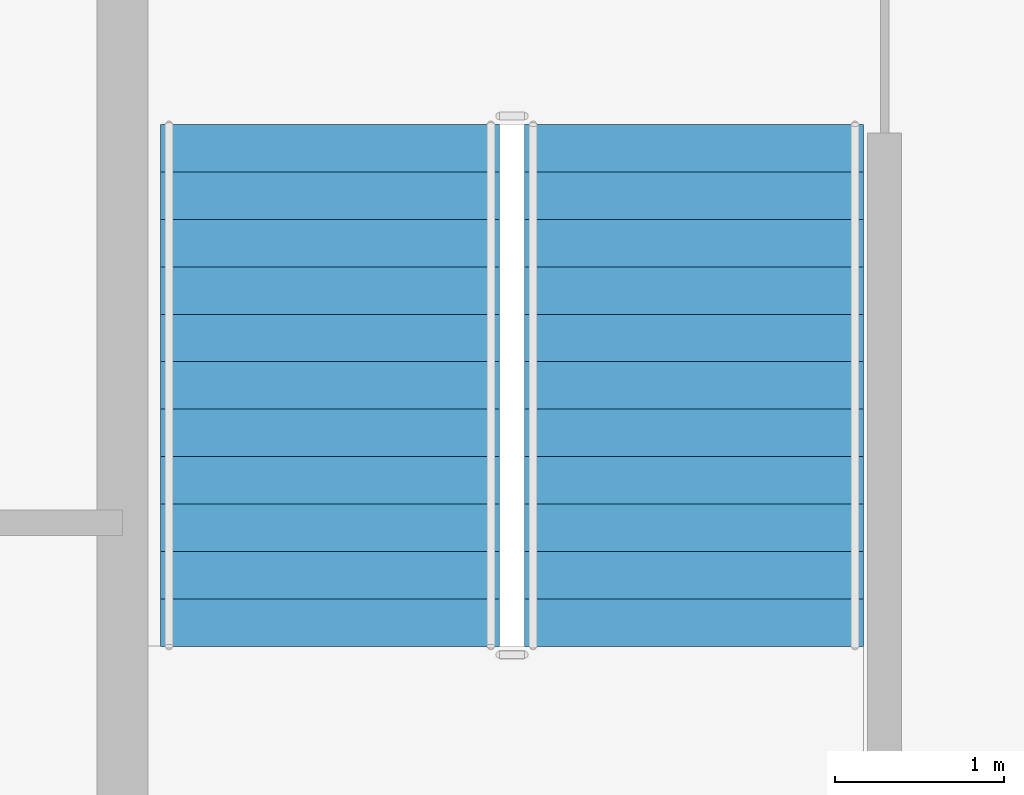
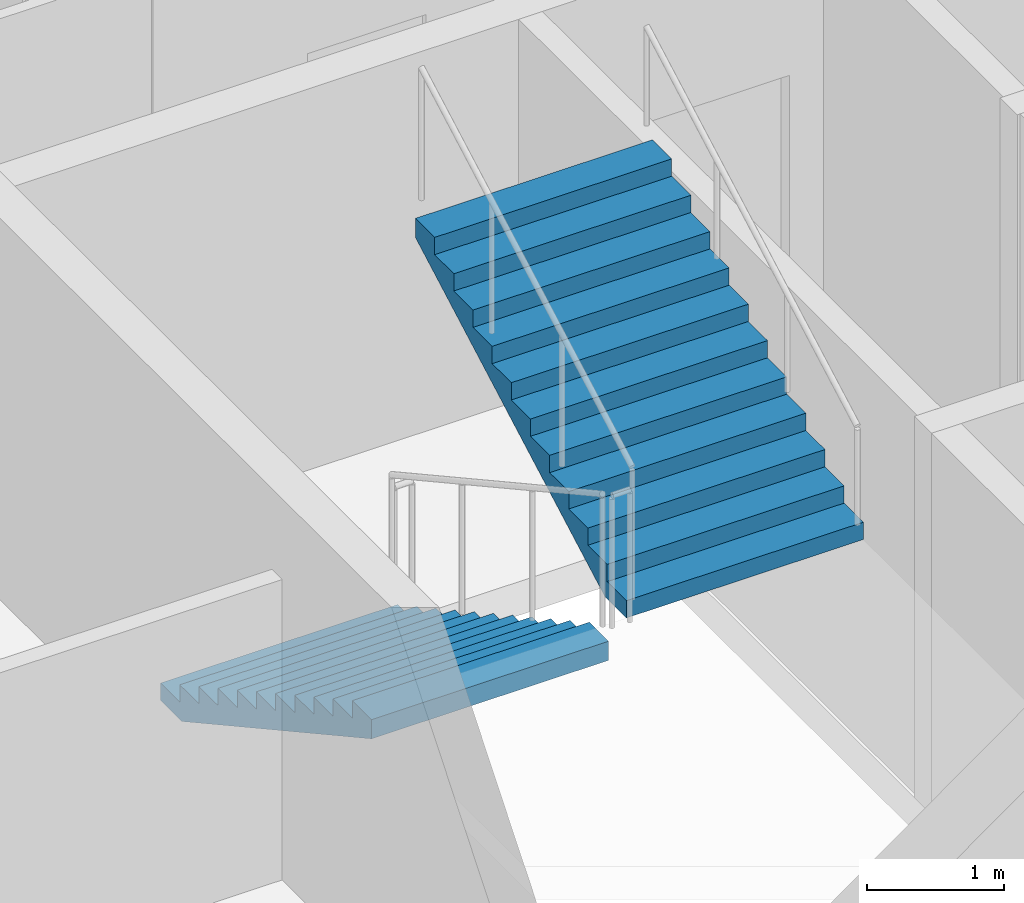
# One storey, part 7 of 13: 2 stair flights, 1 element without a shape of its own.
"""IFC4 building model written with IfcOpenShell, lengths in metres."""

import ifcopenshell
import ifcopenshell.guid

model = None  # the IFC model being written
_history = None  # IfcOwnerHistory: only IFC2X3 demands one
_inside = {}  # id of a spatial element -> (the spatial element, [elements in it])
_under = {}  # id of a project, library or spatial element -> (it, [spatial elements below it])
_declared = {}  # id of a project -> (the project, [libraries it declares])
_typed = {}  # id of a type object -> (the type object, [elements of that type])
_made_of = {}  # id of a material, layer set ... -> (it, [elements and type objects made of it])


def new_model(schema):
    """Start an empty IFC model of exactly this schema.

    Asked for "IFC4X3", IfcOpenShell would pick the latest addendum, in which some entities
    have other attributes; the version numbers below select the first issue.
    IFC2X3 requires an IfcOwnerHistory on every rooted entity: one is made here for all.
    """
    global model, _history
    if schema == "IFC4X3":
        model = ifcopenshell.file(schema_version=(4, 3, 0, 0))
    else:
        model = ifcopenshell.file(schema=schema)
    _inside.clear()
    _under.clear()
    _declared.clear()
    _typed.clear()
    _made_of.clear()
    _history = None
    if model.schema == "IFC2X3":
        org = make("IfcOrganization", Name="unknown")
        user = make(
            "IfcPersonAndOrganization",
            ThePerson=make("IfcPerson", FamilyName="unknown"),
            TheOrganization=org,
        )
        app = make(
            "IfcApplication",
            ApplicationDeveloper=org,
            Version="unknown",
            ApplicationFullName="unknown",
            ApplicationIdentifier="unknown",
        )
        _history = make(
            "IfcOwnerHistory",
            OwningUser=user,
            OwningApplication=app,
            ChangeAction="ADDED",
            CreationDate=0,
        )
    return model


def make(cls, **values):
    """One entity of the class cls with the attributes given. An attribute that is None is left unset."""
    return model.create_entity(
        cls, **{name: value for name, value in values.items() if value is not None}
    )


def rooted(cls, **values):
    """An entity with a GlobalId (a new one), such as an element, a storey or a relation."""
    return make(cls, GlobalId=ifcopenshell.guid.new(), OwnerHistory=_history, **values)


def si_unit(unit_type, name, prefix=None):
    """IfcSIUnit, for example si_unit("LENGTHUNIT", "METRE", prefix="MILLI")."""
    return make("IfcSIUnit", UnitType=unit_type, Prefix=prefix, Name=name)


def assignment(units):
    """IfcUnitAssignment: the units of a project."""
    return None if units is None else make("IfcUnitAssignment", Units=units)


def point(xyz):
    """IfcCartesianPoint."""
    return None if xyz is None else make("IfcCartesianPoint", Coordinates=xyz)


def direction(xyz):
    """IfcDirection."""
    return None if xyz is None else make("IfcDirection", DirectionRatios=xyz)


def frame(location, z_axis=None, x_axis=None):
    """IfcAxis2Placement3D, a coordinate frame: its origin and axes. An axis left out is left unset."""
    return make(
        "IfcAxis2Placement3D",
        Location=point(location),
        Axis=direction(z_axis),
        RefDirection=direction(x_axis),
    )


def origin():
    """The frame at (0, 0, 0) with its axes left unset."""
    return frame((0.0, 0.0, 0.0))


def place(relative_to, where):
    """IfcLocalPlacement: puts the frame where relative to a parent placement (None: the world)."""
    return make(
        "IfcLocalPlacement", PlacementRelTo=relative_to, RelativePlacement=where
    )


def context(
    kind, dimensions, precision=None, world=None, true_north=None, identifier=None
):
    """IfcGeometricRepresentationContext, for example the 3D "Model" context."""
    return make(
        "IfcGeometricRepresentationContext",
        ContextIdentifier=identifier,
        ContextType=kind,
        CoordinateSpaceDimension=dimensions,
        Precision=precision,
        WorldCoordinateSystem=world,
        TrueNorth=true_north,
    )


def subcontext(parent, identifier, kind, view, scale=None):
    """IfcGeometricRepresentationSubContext, for example "Body" below "Model"."""
    return make(
        "IfcGeometricRepresentationSubContext",
        ContextIdentifier=identifier,
        ContextType=kind,
        ParentContext=parent,
        TargetScale=scale,
        TargetView=view,
    )


def project(units=None, contexts=None):
    """IfcProject with its units and contexts."""
    return rooted(
        "IfcProject",
        Name="project",
        RepresentationContexts=contexts,
        UnitsInContext=assignment(units),
    )


def spatial(cls, under=None, at=None, **own):
    """A site, building, storey or space (cls), placed at a placement, below another one or the project."""
    s = rooted(cls, ObjectPlacement=at, **own)
    if under is not None:
        _under.setdefault(under.id(), (under, []))[1].append(s)
    return s


def point_list(points):
    """IfcCartesianPointList2D or 3D."""
    cls = (
        "IfcCartesianPointList2D" if len(points[0]) == 2 else "IfcCartesianPointList3D"
    )
    return make(cls, CoordList=points)


def polygons(points, faces, closed=None, point_numbers=None):
    """IfcPolygonalFaceSet: a face is its outer loop, then its inner loops; points numbered from 1."""
    made = []
    for loops in faces:
        if len(loops) == 1:
            made.append(make("IfcIndexedPolygonalFace", CoordIndex=loops[0]))
        else:
            made.append(
                make(
                    "IfcIndexedPolygonalFaceWithVoids",
                    CoordIndex=loops[0],
                    InnerCoordIndices=loops[1:],
                )
            )
    return make(
        "IfcPolygonalFaceSet",
        Coordinates=point_list(points),
        Closed=closed,
        Faces=made,
        PnIndex=point_numbers,
    )


def shape(context_of_items, identifier, shape_type, items):
    """IfcShapeRepresentation: the items that make up one representation, for example the "Body"."""
    return make(
        "IfcShapeRepresentation",
        ContextOfItems=context_of_items,
        RepresentationIdentifier=identifier,
        RepresentationType=shape_type,
        Items=items,
    )


def material(Name=None, Category=None):
    """IfcMaterial."""
    return make("IfcMaterial", Name=Name, Category=Category)


def made_of(thing, what):
    """Note that an element or type object is made of a material, layer set ...; save() writes the relation."""
    if what is not None:
        _made_of.setdefault(what.id(), (what, []))[1].append(thing)
    return thing


def type_object(cls, material=None, **own):
    """A type object (cls), such as IfcWallType, which elements share."""
    return made_of(rooted(cls, **own), material)


def element(
    cls,
    number,
    at=None,
    inside=None,
    cuts=None,
    type_object=None,
    material=None,
    context=None,
    identifier="Body",
    shape_type=None,
    held_by="IfcProductDefinitionShape",
    body=None,
    shapes=None,
    **own,
):
    """One element of the class cls, such as IfcWall. Its Tag is "e" and its number.

    at: its placement. inside: the storey or other place that contains it. cuts: it is an
    opening in that element (IfcRelVoidsElement). A single representation is given by context,
    identifier, shape_type and body (its items); several are given by shapes. held_by: the class
    of the entity that holds the representations. save() writes the other relations.
    """
    e = rooted(cls, Tag="e%d" % number, ObjectPlacement=at, **own)
    if body is not None:
        shapes = [shape(context, identifier, shape_type, body)]
    if shapes is not None:
        e.Representation = make(held_by, Representations=shapes)
    if inside is not None:
        _inside.setdefault(inside.id(), (inside, []))[1].append(e)
    if cuts is not None:
        rooted(
            "IfcRelVoidsElement", RelatingBuildingElement=cuts, RelatedOpeningElement=e
        )
    if type_object is not None:
        _typed.setdefault(type_object.id(), (type_object, []))[1].append(e)
    return made_of(e, material)


def aggregate(whole, parts):
    """IfcRelAggregates: a whole, such as a stair, and the parts it consists of."""
    return rooted("IfcRelAggregates", RelatingObject=whole, RelatedObjects=parts)


def save(model, path):
    """Write the relations noted so far, then the file.

    IfcRelAggregates (storeys below a building ...), IfcRelContainedInSpatialStructure (elements
    in a storey), IfcRelDefinesByType, IfcRelAssociatesMaterial and IfcRelDeclares: one each for
    every whole, place, type object, material and project.
    """
    for whole, parts in _under.values():
        aggregate(whole, parts)
    for where, things in _inside.values():
        rooted(
            "IfcRelContainedInSpatialStructure",
            RelatedElements=things,
            RelatingStructure=where,
        )
    for kind, things in _typed.values():
        rooted("IfcRelDefinesByType", RelatedObjects=things, RelatingType=kind)
    for what, things in _made_of.values():
        rooted("IfcRelAssociatesMaterial", RelatedObjects=things, RelatingMaterial=what)
    for by, libraries in _declared.values():
        rooted("IfcRelDeclares", RelatingContext=by, RelatedDefinitions=libraries)
    model.write(path)


model = new_model("IFC4")

# Units and contexts
model_context = context("Model", 3, precision=1e-05, world=origin(), true_north=direction((0.0, 1.0)))
body_context = subcontext(model_context, "Body", "Model", "MODEL_VIEW")
ifc_project = project(units=[si_unit("LENGTHUNIT", "METRE"), si_unit("AREAUNIT", "SQUARE_METRE"), si_unit("VOLUMEUNIT", "CUBIC_METRE"), si_unit("PLANEANGLEUNIT", "RADIAN"), si_unit("MASSUNIT", "GRAM", prefix="KILO")], contexts=[model_context])

# Site, building, storey
site_placement = place(None, origin())
site = spatial("IfcSite", under=ifc_project, at=site_placement, CompositionType="ELEMENT")
building_placement = place(site_placement, origin())
building = spatial("IfcBuilding", under=site, at=building_placement, Name="Caravel Reach Hotel and Residences", CompositionType="ELEMENT")
storey_placement = place(building_placement, frame((0.0, 0.0, 267.5)))
storey = spatial("IfcBuildingStorey", under=building, at=storey_placement, Name="L68", CompositionType="ELEMENT", Elevation=267.5)

# Stair, stair flights
ifc_material_1 = material(Name="Concrete C40", Category="concrete")
stair_type = type_object("IfcStairType", Name="Core stair", PredefinedType="HALF_TURN_STAIR", material=ifc_material_1)
stair_placement = place(storey_placement, origin())
stair = element("IfcStair", 1, at=stair_placement, inside=storey, type_object=stair_type, Name="L68 Exit stair A", PredefinedType="HALF_TURN_STAIR")
ifc_material_2 = material(Name="Concrete C40", Category="concrete")
stair_flight_type = type_object("IfcStairFlightType", Name="Core stair flight", PredefinedType="STRAIGHT", material=ifc_material_2)
stair_flight_1_placement = place(storey_placement, frame((19.22509765625, 29.35009765625, 0.0), z_axis=(0.0, 0.0, 1.0), x_axis=(0.0, -1.0, 0.0)))
stair_flight_1 = element("IfcStairFlight", 2, at=stair_flight_1_placement, type_object=stair_flight_type, Name="ST-A flight 1", NumberOfRisers=12, NumberOfTreads=11, PredefinedType="STRAIGHT", RiserHeight=0.154166667, TreadLength=0.28, context=body_context, shape_type="Tessellation", body=[
    polygons([(0.3107950034306102, 1.0, 0.0), (0.3107950034306102, 0.6666666666666667, 0.0), (0.3107950034306102, 0.33333333333333337, 0.0), (0.3107950034306102, 0.0, 0.0), (0.3107950034306102, -0.33333333333333326, 0.0), (0.3107950034306102, -0.6666666666666667, 0.0), (0.3107950034306102, -1.0, 0.0), (3.081, 1.0, 1.524711087717319), (3.081, 0.6666666666666667, 1.524711087717319), (3.081, 0.33333333333333337, 1.524711087717319), (3.081, 0.0, 1.524711087717319), (3.081, -0.33333333333333326, 1.524711087717319), (3.081, -0.6666666666666667, 1.524711087717319), (3.081, -1.0, 1.524711087717319), (3.081, 1.0, 1.695833337), (3.081, 0.6666666666666667, 1.695833337), (3.081, 0.33333333333333337, 1.695833337), (3.081, 0.0, 1.695833337), (3.081, -0.33333333333333326, 1.695833337), (3.081, -0.6666666666666667, 1.695833337), (3.081, -1.0, 1.695833337), (2.8000000000000003, 1.0, 1.695833337), (2.8000000000000003, 0.6666666666666667, 1.695833337), (2.8000000000000003, 0.33333333333333337, 1.695833337), (2.8000000000000003, 0.0, 1.695833337), (2.8000000000000003, -0.33333333333333326, 1.695833337), (2.8000000000000003, -0.6666666666666667, 1.695833337), (2.8000000000000003, -1.0, 1.695833337), (2.8000000000000003, 1.0, 1.5416666700000001), (2.8000000000000003, 0.6666666666666667, 1.5416666700000001), (2.8000000000000003, 0.33333333333333337, 1.5416666700000001), (2.8000000000000003, 0.0, 1.5416666700000001), (2.8000000000000003, -0.33333333333333326, 1.5416666700000001), (2.8000000000000003, -0.6666666666666667, 1.5416666700000001), (2.8000000000000003, -1.0, 1.5416666700000001), (2.5200000000000005, 1.0, 1.5416666700000001), (2.5200000000000005, 0.6666666666666667, 1.5416666700000001), (2.5200000000000005, 0.33333333333333337, 1.5416666700000001), (2.5200000000000005, 0.0, 1.5416666700000001), (2.5200000000000005, -0.33333333333333326, 1.5416666700000001), (2.5200000000000005, -0.6666666666666667, 1.5416666700000001), (2.5200000000000005, -1.0, 1.5416666700000001), (2.5200000000000005, 1.0, 1.387500003), (2.5200000000000005, 0.6666666666666667, 1.387500003), (2.5200000000000005, 0.33333333333333337, 1.387500003), (2.5200000000000005, 0.0, 1.387500003), (2.5200000000000005, -0.33333333333333326, 1.387500003), (2.5200000000000005, -0.6666666666666667, 1.387500003), (2.5200000000000005, -1.0, 1.387500003), (2.24, 1.0, 1.387500003), (2.24, 0.6666666666666667, 1.387500003), (2.24, 0.33333333333333337, 1.387500003), (2.24, 0.0, 1.387500003), (2.24, -0.33333333333333326, 1.387500003), (2.24, -0.6666666666666667, 1.387500003), (2.24, -1.0, 1.387500003), (2.24, 1.0, 1.233333336), (2.24, 0.6666666666666667, 1.233333336), (2.24, 0.33333333333333337, 1.233333336), (2.24, 0.0, 1.233333336), (2.24, -0.33333333333333326, 1.233333336), (2.24, -0.6666666666666667, 1.233333336), (2.24, -1.0, 1.233333336), (1.9600000000000002, 1.0, 1.233333336), (1.9600000000000002, 0.6666666666666667, 1.233333336), (1.9600000000000002, 0.33333333333333337, 1.233333336), (1.9600000000000002, 0.0, 1.233333336), (1.9600000000000002, -0.33333333333333326, 1.233333336), (1.9600000000000002, -0.6666666666666667, 1.233333336), (1.9600000000000002, -1.0, 1.233333336), (1.9600000000000002, 1.0, 1.0791666690000001), (1.9600000000000002, 0.6666666666666667, 1.0791666690000001), (1.9600000000000002, 0.33333333333333337, 1.0791666690000001), (1.9600000000000002, 0.0, 1.0791666690000001), (1.9600000000000002, -0.33333333333333326, 1.0791666690000001), (1.9600000000000002, -0.6666666666666667, 1.0791666690000001), (1.9600000000000002, -1.0, 1.0791666690000001), (1.6800000000000002, 1.0, 1.0791666690000001), (1.6800000000000002, 0.6666666666666667, 1.0791666690000001), (1.6800000000000002, 0.33333333333333337, 1.0791666690000001), (1.6800000000000002, 0.0, 1.0791666690000001), (1.6800000000000002, -0.33333333333333326, 1.0791666690000001), (1.6800000000000002, -0.6666666666666667, 1.0791666690000001), (1.6800000000000002, -1.0, 1.0791666690000001), (1.6800000000000002, 1.0, 0.925000002), (1.6800000000000002, 0.6666666666666667, 0.925000002), (1.6800000000000002, 0.33333333333333337, 0.925000002), (1.6800000000000002, 0.0, 0.925000002), (1.6800000000000002, -0.33333333333333326, 0.925000002), (1.6800000000000002, -0.6666666666666667, 0.925000002), (1.6800000000000002, -1.0, 0.925000002), (1.4000000000000001, 1.0, 0.925000002), (1.4000000000000001, 0.6666666666666667, 0.925000002), (1.4000000000000001, 0.33333333333333337, 0.925000002), (1.4000000000000001, 0.0, 0.925000002), (1.4000000000000001, -0.33333333333333326, 0.925000002), (1.4000000000000001, -0.6666666666666667, 0.925000002), (1.4000000000000001, -1.0, 0.925000002), (1.4000000000000001, 1.0, 0.7708333350000001), (1.4000000000000001, 0.6666666666666667, 0.7708333350000001), (1.4000000000000001, 0.33333333333333337, 0.7708333350000001), (1.4000000000000001, 0.0, 0.7708333350000001), (1.4000000000000001, -0.33333333333333326, 0.7708333350000001), (1.4000000000000001, -0.6666666666666667, 0.7708333350000001), (1.4000000000000001, -1.0, 0.7708333350000001), (1.12, 1.0, 0.7708333350000001), (1.12, 0.6666666666666667, 0.7708333350000001), (1.12, 0.33333333333333337, 0.7708333350000001), (1.12, 0.0, 0.7708333350000001), (1.12, -0.33333333333333326, 0.7708333350000001), (1.12, -0.6666666666666667, 0.7708333350000001), (1.12, -1.0, 0.7708333350000001), (1.12, 1.0, 0.616666668), (1.12, 0.6666666666666667, 0.616666668), (1.12, 0.33333333333333337, 0.616666668), (1.12, 0.0, 0.616666668), (1.12, -0.33333333333333326, 0.616666668), (1.12, -0.6666666666666667, 0.616666668), (1.12, -1.0, 0.616666668), (0.8400000000000001, 1.0, 0.616666668), (0.8400000000000001, 0.6666666666666667, 0.616666668), (0.8400000000000001, 0.33333333333333337, 0.616666668), (0.8400000000000001, 0.0, 0.616666668), (0.8400000000000001, -0.33333333333333326, 0.616666668), (0.8400000000000001, -0.6666666666666667, 0.616666668), (0.8400000000000001, -1.0, 0.616666668), (0.8400000000000001, 1.0, 0.462500001), (0.8400000000000001, 0.6666666666666667, 0.462500001), (0.8400000000000001, 0.33333333333333337, 0.462500001), (0.8400000000000001, 0.0, 0.462500001), (0.8400000000000001, -0.33333333333333326, 0.462500001), (0.8400000000000001, -0.6666666666666667, 0.462500001), (0.8400000000000001, -1.0, 0.462500001), (0.56, 1.0, 0.462500001), (0.56, 0.6666666666666667, 0.462500001), (0.56, 0.33333333333333337, 0.462500001), (0.56, 0.0, 0.462500001), (0.56, -0.33333333333333326, 0.462500001), (0.56, -0.6666666666666667, 0.462500001), (0.56, -1.0, 0.462500001), (0.56, 1.0, 0.308333334), (0.56, 0.6666666666666667, 0.308333334), (0.56, 0.33333333333333337, 0.308333334), (0.56, 0.0, 0.308333334), (0.56, -0.33333333333333326, 0.308333334), (0.56, -0.6666666666666667, 0.308333334), (0.56, -1.0, 0.308333334), (0.28, 1.0, 0.308333334), (0.28, 0.6666666666666667, 0.308333334), (0.28, 0.33333333333333337, 0.308333334), (0.28, 0.0, 0.308333334), (0.28, -0.33333333333333326, 0.308333334), (0.28, -0.6666666666666667, 0.308333334), (0.28, -1.0, 0.308333334), (0.28, 1.0, 0.154166667), (0.28, 0.6666666666666667, 0.154166667), (0.28, 0.33333333333333337, 0.154166667), (0.28, 0.0, 0.154166667), (0.28, -0.33333333333333326, 0.154166667), (0.28, -0.6666666666666667, 0.154166667), (0.28, -1.0, 0.154166667), (-0.001, 1.0, 0.154166667), (-0.001, 0.6666666666666667, 0.154166667), (-0.001, 0.33333333333333337, 0.154166667), (-0.001, 0.0, 0.154166667), (-0.001, -0.33333333333333326, 0.154166667), (-0.001, -0.6666666666666667, 0.154166667), (-0.001, -1.0, 0.154166667), (-0.001, 1.0, 0.0), (-0.001, 0.6666666666666667, 0.0), (-0.001, 0.33333333333333337, 0.0), (-0.001, 0.0, 0.0), (-0.001, -0.33333333333333326, 0.0), (-0.001, -0.6666666666666667, 0.0), (-0.001, -1.0, 0.0)], [[[169, 162, 155, 148, 141, 134, 127, 120, 113, 106, 99, 92, 85, 78, 71, 64, 57, 50, 43, 36, 29, 22, 15, 8, 1]], [[7, 14, 21, 28, 35, 42, 49, 56, 63, 70, 77, 84, 91, 98, 105, 112, 119, 126, 133, 140, 147, 154, 161, 168, 175]], [[1, 8, 9, 2]], [[2, 9, 10, 3]], [[3, 10, 11, 4]], [[4, 11, 12, 5]], [[5, 12, 13, 6]], [[6, 13, 14, 7]], [[8, 15, 16, 9]], [[9, 16, 17, 10]], [[10, 17, 18, 11]], [[11, 18, 19, 12]], [[12, 19, 20, 13]], [[13, 20, 21, 14]], [[15, 22, 23, 16]], [[16, 23, 24, 17]], [[17, 24, 25, 18]], [[18, 25, 26, 19]], [[19, 26, 27, 20]], [[20, 27, 28, 21]], [[22, 29, 30, 23]], [[23, 30, 31, 24]], [[24, 31, 32, 25]], [[25, 32, 33, 26]], [[26, 33, 34, 27]], [[27, 34, 35, 28]], [[29, 36, 37, 30]], [[30, 37, 38, 31]], [[31, 38, 39, 32]], [[32, 39, 40, 33]], [[33, 40, 41, 34]], [[34, 41, 42, 35]], [[36, 43, 44, 37]], [[37, 44, 45, 38]], [[38, 45, 46, 39]], [[39, 46, 47, 40]], [[40, 47, 48, 41]], [[41, 48, 49, 42]], [[43, 50, 51, 44]], [[44, 51, 52, 45]], [[45, 52, 53, 46]], [[46, 53, 54, 47]], [[47, 54, 55, 48]], [[48, 55, 56, 49]], [[50, 57, 58, 51]], [[51, 58, 59, 52]], [[52, 59, 60, 53]], [[53, 60, 61, 54]], [[54, 61, 62, 55]], [[55, 62, 63, 56]], [[57, 64, 65, 58]], [[58, 65, 66, 59]], [[59, 66, 67, 60]], [[60, 67, 68, 61]], [[61, 68, 69, 62]], [[62, 69, 70, 63]], [[64, 71, 72, 65]], [[65, 72, 73, 66]], [[66, 73, 74, 67]], [[67, 74, 75, 68]], [[68, 75, 76, 69]], [[69, 76, 77, 70]], [[71, 78, 79, 72]], [[72, 79, 80, 73]], [[73, 80, 81, 74]], [[74, 81, 82, 75]], [[75, 82, 83, 76]], [[76, 83, 84, 77]], [[78, 85, 86, 79]], [[79, 86, 87, 80]], [[80, 87, 88, 81]], [[81, 88, 89, 82]], [[82, 89, 90, 83]], [[83, 90, 91, 84]], [[85, 92, 93, 86]], [[86, 93, 94, 87]], [[87, 94, 95, 88]], [[88, 95, 96, 89]], [[89, 96, 97, 90]], [[90, 97, 98, 91]], [[92, 99, 100, 93]], [[93, 100, 101, 94]], [[94, 101, 102, 95]], [[95, 102, 103, 96]], [[96, 103, 104, 97]], [[97, 104, 105, 98]], [[99, 106, 107, 100]], [[100, 107, 108, 101]], [[101, 108, 109, 102]], [[102, 109, 110, 103]], [[103, 110, 111, 104]], [[104, 111, 112, 105]], [[106, 113, 114, 107]], [[107, 114, 115, 108]], [[108, 115, 116, 109]], [[109, 116, 117, 110]], [[110, 117, 118, 111]], [[111, 118, 119, 112]], [[113, 120, 121, 114]], [[114, 121, 122, 115]], [[115, 122, 123, 116]], [[116, 123, 124, 117]], [[117, 124, 125, 118]], [[118, 125, 126, 119]], [[120, 127, 128, 121]], [[121, 128, 129, 122]], [[122, 129, 130, 123]], [[123, 130, 131, 124]], [[124, 131, 132, 125]], [[125, 132, 133, 126]], [[127, 134, 135, 128]], [[128, 135, 136, 129]], [[129, 136, 137, 130]], [[130, 137, 138, 131]], [[131, 138, 139, 132]], [[132, 139, 140, 133]], [[134, 141, 142, 135]], [[135, 142, 143, 136]], [[136, 143, 144, 137]], [[137, 144, 145, 138]], [[138, 145, 146, 139]], [[139, 146, 147, 140]], [[141, 148, 149, 142]], [[142, 149, 150, 143]], [[143, 150, 151, 144]], [[144, 151, 152, 145]], [[145, 152, 153, 146]], [[146, 153, 154, 147]], [[148, 155, 156, 149]], [[149, 156, 157, 150]], [[150, 157, 158, 151]], [[151, 158, 159, 152]], [[152, 159, 160, 153]], [[153, 160, 161, 154]], [[155, 162, 163, 156]], [[156, 163, 164, 157]], [[157, 164, 165, 158]], [[158, 165, 166, 159]], [[159, 166, 167, 160]], [[160, 167, 168, 161]], [[162, 169, 170, 163]], [[163, 170, 171, 164]], [[164, 171, 172, 165]], [[165, 172, 173, 166]], [[166, 173, 174, 167]], [[167, 174, 175, 168]], [[169, 1, 2, 170]], [[170, 2, 3, 171]], [[171, 3, 4, 172]], [[172, 4, 5, 173]], [[173, 5, 6, 174]], [[174, 6, 7, 175]]], closed=True),
])
stair_flight_2_placement = place(storey_placement, frame((21.375, 26.27001953125, 1.85009765625), z_axis=(0.0, 0.0, 1.0), x_axis=(0.0, 1.0, 0.0)))
stair_flight_2 = element("IfcStairFlight", 3, at=stair_flight_2_placement, type_object=stair_flight_type, Name="ST-A flight 2", NumberOfRisers=12, NumberOfTreads=11, PredefinedType="STRAIGHT", RiserHeight=0.154166667, TreadLength=0.28, context=body_context, shape_type="Tessellation", body=[
    polygons([(0.3107950034306102, 1.0, 0.0), (0.3107950034306102, 0.6666666666666667, 0.0), (0.3107950034306102, 0.33333333333333337, 0.0), (0.3107950034306102, 0.0, 0.0), (0.3107950034306102, -0.33333333333333326, 0.0), (0.3107950034306102, -0.6666666666666667, 0.0), (0.3107950034306102, -1.0, 0.0), (3.081, 1.0, 1.524711087717319), (3.081, 0.6666666666666667, 1.524711087717319), (3.081, 0.33333333333333337, 1.524711087717319), (3.081, 0.0, 1.524711087717319), (3.081, -0.33333333333333326, 1.524711087717319), (3.081, -0.6666666666666667, 1.524711087717319), (3.081, -1.0, 1.524711087717319), (3.081, 1.0, 1.695833337), (3.081, 0.6666666666666667, 1.695833337), (3.081, 0.33333333333333337, 1.695833337), (3.081, 0.0, 1.695833337), (3.081, -0.33333333333333326, 1.695833337), (3.081, -0.6666666666666667, 1.695833337), (3.081, -1.0, 1.695833337), (2.8000000000000003, 1.0, 1.695833337), (2.8000000000000003, 0.6666666666666667, 1.695833337), (2.8000000000000003, 0.33333333333333337, 1.695833337), (2.8000000000000003, 0.0, 1.695833337), (2.8000000000000003, -0.33333333333333326, 1.695833337), (2.8000000000000003, -0.6666666666666667, 1.695833337), (2.8000000000000003, -1.0, 1.695833337), (2.8000000000000003, 1.0, 1.5416666700000001), (2.8000000000000003, 0.6666666666666667, 1.5416666700000001), (2.8000000000000003, 0.33333333333333337, 1.5416666700000001), (2.8000000000000003, 0.0, 1.5416666700000001), (2.8000000000000003, -0.33333333333333326, 1.5416666700000001), (2.8000000000000003, -0.6666666666666667, 1.5416666700000001), (2.8000000000000003, -1.0, 1.5416666700000001), (2.5200000000000005, 1.0, 1.5416666700000001), (2.5200000000000005, 0.6666666666666667, 1.5416666700000001), (2.5200000000000005, 0.33333333333333337, 1.5416666700000001), (2.5200000000000005, 0.0, 1.5416666700000001), (2.5200000000000005, -0.33333333333333326, 1.5416666700000001), (2.5200000000000005, -0.6666666666666667, 1.5416666700000001), (2.5200000000000005, -1.0, 1.5416666700000001), (2.5200000000000005, 1.0, 1.387500003), (2.5200000000000005, 0.6666666666666667, 1.387500003), (2.5200000000000005, 0.33333333333333337, 1.387500003), (2.5200000000000005, 0.0, 1.387500003), (2.5200000000000005, -0.33333333333333326, 1.387500003), (2.5200000000000005, -0.6666666666666667, 1.387500003), (2.5200000000000005, -1.0, 1.387500003), (2.24, 1.0, 1.387500003), (2.24, 0.6666666666666667, 1.387500003), (2.24, 0.33333333333333337, 1.387500003), (2.24, 0.0, 1.387500003), (2.24, -0.33333333333333326, 1.387500003), (2.24, -0.6666666666666667, 1.387500003), (2.24, -1.0, 1.387500003), (2.24, 1.0, 1.233333336), (2.24, 0.6666666666666667, 1.233333336), (2.24, 0.33333333333333337, 1.233333336), (2.24, 0.0, 1.233333336), (2.24, -0.33333333333333326, 1.233333336), (2.24, -0.6666666666666667, 1.233333336), (2.24, -1.0, 1.233333336), (1.9600000000000002, 1.0, 1.233333336), (1.9600000000000002, 0.6666666666666667, 1.233333336), (1.9600000000000002, 0.33333333333333337, 1.233333336), (1.9600000000000002, 0.0, 1.233333336), (1.9600000000000002, -0.33333333333333326, 1.233333336), (1.9600000000000002, -0.6666666666666667, 1.233333336), (1.9600000000000002, -1.0, 1.233333336), (1.9600000000000002, 1.0, 1.0791666690000001), (1.9600000000000002, 0.6666666666666667, 1.0791666690000001), (1.9600000000000002, 0.33333333333333337, 1.0791666690000001), (1.9600000000000002, 0.0, 1.0791666690000001), (1.9600000000000002, -0.33333333333333326, 1.0791666690000001), (1.9600000000000002, -0.6666666666666667, 1.0791666690000001), (1.9600000000000002, -1.0, 1.0791666690000001), (1.6800000000000002, 1.0, 1.0791666690000001), (1.6800000000000002, 0.6666666666666667, 1.0791666690000001), (1.6800000000000002, 0.33333333333333337, 1.0791666690000001), (1.6800000000000002, 0.0, 1.0791666690000001), (1.6800000000000002, -0.33333333333333326, 1.0791666690000001), (1.6800000000000002, -0.6666666666666667, 1.0791666690000001), (1.6800000000000002, -1.0, 1.0791666690000001), (1.6800000000000002, 1.0, 0.925000002), (1.6800000000000002, 0.6666666666666667, 0.925000002), (1.6800000000000002, 0.33333333333333337, 0.925000002), (1.6800000000000002, 0.0, 0.925000002), (1.6800000000000002, -0.33333333333333326, 0.925000002), (1.6800000000000002, -0.6666666666666667, 0.925000002), (1.6800000000000002, -1.0, 0.925000002), (1.4000000000000001, 1.0, 0.925000002), (1.4000000000000001, 0.6666666666666667, 0.925000002), (1.4000000000000001, 0.33333333333333337, 0.925000002), (1.4000000000000001, 0.0, 0.925000002), (1.4000000000000001, -0.33333333333333326, 0.925000002), (1.4000000000000001, -0.6666666666666667, 0.925000002), (1.4000000000000001, -1.0, 0.925000002), (1.4000000000000001, 1.0, 0.7708333350000001), (1.4000000000000001, 0.6666666666666667, 0.7708333350000001), (1.4000000000000001, 0.33333333333333337, 0.7708333350000001), (1.4000000000000001, 0.0, 0.7708333350000001), (1.4000000000000001, -0.33333333333333326, 0.7708333350000001), (1.4000000000000001, -0.6666666666666667, 0.7708333350000001), (1.4000000000000001, -1.0, 0.7708333350000001), (1.12, 1.0, 0.7708333350000001), (1.12, 0.6666666666666667, 0.7708333350000001), (1.12, 0.33333333333333337, 0.7708333350000001), (1.12, 0.0, 0.7708333350000001), (1.12, -0.33333333333333326, 0.7708333350000001), (1.12, -0.6666666666666667, 0.7708333350000001), (1.12, -1.0, 0.7708333350000001), (1.12, 1.0, 0.616666668), (1.12, 0.6666666666666667, 0.616666668), (1.12, 0.33333333333333337, 0.616666668), (1.12, 0.0, 0.616666668), (1.12, -0.33333333333333326, 0.616666668), (1.12, -0.6666666666666667, 0.616666668), (1.12, -1.0, 0.616666668), (0.8400000000000001, 1.0, 0.616666668), (0.8400000000000001, 0.6666666666666667, 0.616666668), (0.8400000000000001, 0.33333333333333337, 0.616666668), (0.8400000000000001, 0.0, 0.616666668), (0.8400000000000001, -0.33333333333333326, 0.616666668), (0.8400000000000001, -0.6666666666666667, 0.616666668), (0.8400000000000001, -1.0, 0.616666668), (0.8400000000000001, 1.0, 0.462500001), (0.8400000000000001, 0.6666666666666667, 0.462500001), (0.8400000000000001, 0.33333333333333337, 0.462500001), (0.8400000000000001, 0.0, 0.462500001), (0.8400000000000001, -0.33333333333333326, 0.462500001), (0.8400000000000001, -0.6666666666666667, 0.462500001), (0.8400000000000001, -1.0, 0.462500001), (0.56, 1.0, 0.462500001), (0.56, 0.6666666666666667, 0.462500001), (0.56, 0.33333333333333337, 0.462500001), (0.56, 0.0, 0.462500001), (0.56, -0.33333333333333326, 0.462500001), (0.56, -0.6666666666666667, 0.462500001), (0.56, -1.0, 0.462500001), (0.56, 1.0, 0.308333334), (0.56, 0.6666666666666667, 0.308333334), (0.56, 0.33333333333333337, 0.308333334), (0.56, 0.0, 0.308333334), (0.56, -0.33333333333333326, 0.308333334), (0.56, -0.6666666666666667, 0.308333334), (0.56, -1.0, 0.308333334), (0.28, 1.0, 0.308333334), (0.28, 0.6666666666666667, 0.308333334), (0.28, 0.33333333333333337, 0.308333334), (0.28, 0.0, 0.308333334), (0.28, -0.33333333333333326, 0.308333334), (0.28, -0.6666666666666667, 0.308333334), (0.28, -1.0, 0.308333334), (0.28, 1.0, 0.154166667), (0.28, 0.6666666666666667, 0.154166667), (0.28, 0.33333333333333337, 0.154166667), (0.28, 0.0, 0.154166667), (0.28, -0.33333333333333326, 0.154166667), (0.28, -0.6666666666666667, 0.154166667), (0.28, -1.0, 0.154166667), (-0.001, 1.0, 0.154166667), (-0.001, 0.6666666666666667, 0.154166667), (-0.001, 0.33333333333333337, 0.154166667), (-0.001, 0.0, 0.154166667), (-0.001, -0.33333333333333326, 0.154166667), (-0.001, -0.6666666666666667, 0.154166667), (-0.001, -1.0, 0.154166667), (-0.001, 1.0, 0.0), (-0.001, 0.6666666666666667, 0.0), (-0.001, 0.33333333333333337, 0.0), (-0.001, 0.0, 0.0), (-0.001, -0.33333333333333326, 0.0), (-0.001, -0.6666666666666667, 0.0), (-0.001, -1.0, 0.0)], [[[169, 162, 155, 148, 141, 134, 127, 120, 113, 106, 99, 92, 85, 78, 71, 64, 57, 50, 43, 36, 29, 22, 15, 8, 1]], [[7, 14, 21, 28, 35, 42, 49, 56, 63, 70, 77, 84, 91, 98, 105, 112, 119, 126, 133, 140, 147, 154, 161, 168, 175]], [[1, 8, 9, 2]], [[2, 9, 10, 3]], [[3, 10, 11, 4]], [[4, 11, 12, 5]], [[5, 12, 13, 6]], [[6, 13, 14, 7]], [[8, 15, 16, 9]], [[9, 16, 17, 10]], [[10, 17, 18, 11]], [[11, 18, 19, 12]], [[12, 19, 20, 13]], [[13, 20, 21, 14]], [[15, 22, 23, 16]], [[16, 23, 24, 17]], [[17, 24, 25, 18]], [[18, 25, 26, 19]], [[19, 26, 27, 20]], [[20, 27, 28, 21]], [[22, 29, 30, 23]], [[23, 30, 31, 24]], [[24, 31, 32, 25]], [[25, 32, 33, 26]], [[26, 33, 34, 27]], [[27, 34, 35, 28]], [[29, 36, 37, 30]], [[30, 37, 38, 31]], [[31, 38, 39, 32]], [[32, 39, 40, 33]], [[33, 40, 41, 34]], [[34, 41, 42, 35]], [[36, 43, 44, 37]], [[37, 44, 45, 38]], [[38, 45, 46, 39]], [[39, 46, 47, 40]], [[40, 47, 48, 41]], [[41, 48, 49, 42]], [[43, 50, 51, 44]], [[44, 51, 52, 45]], [[45, 52, 53, 46]], [[46, 53, 54, 47]], [[47, 54, 55, 48]], [[48, 55, 56, 49]], [[50, 57, 58, 51]], [[51, 58, 59, 52]], [[52, 59, 60, 53]], [[53, 60, 61, 54]], [[54, 61, 62, 55]], [[55, 62, 63, 56]], [[57, 64, 65, 58]], [[58, 65, 66, 59]], [[59, 66, 67, 60]], [[60, 67, 68, 61]], [[61, 68, 69, 62]], [[62, 69, 70, 63]], [[64, 71, 72, 65]], [[65, 72, 73, 66]], [[66, 73, 74, 67]], [[67, 74, 75, 68]], [[68, 75, 76, 69]], [[69, 76, 77, 70]], [[71, 78, 79, 72]], [[72, 79, 80, 73]], [[73, 80, 81, 74]], [[74, 81, 82, 75]], [[75, 82, 83, 76]], [[76, 83, 84, 77]], [[78, 85, 86, 79]], [[79, 86, 87, 80]], [[80, 87, 88, 81]], [[81, 88, 89, 82]], [[82, 89, 90, 83]], [[83, 90, 91, 84]], [[85, 92, 93, 86]], [[86, 93, 94, 87]], [[87, 94, 95, 88]], [[88, 95, 96, 89]], [[89, 96, 97, 90]], [[90, 97, 98, 91]], [[92, 99, 100, 93]], [[93, 100, 101, 94]], [[94, 101, 102, 95]], [[95, 102, 103, 96]], [[96, 103, 104, 97]], [[97, 104, 105, 98]], [[99, 106, 107, 100]], [[100, 107, 108, 101]], [[101, 108, 109, 102]], [[102, 109, 110, 103]], [[103, 110, 111, 104]], [[104, 111, 112, 105]], [[106, 113, 114, 107]], [[107, 114, 115, 108]], [[108, 115, 116, 109]], [[109, 116, 117, 110]], [[110, 117, 118, 111]], [[111, 118, 119, 112]], [[113, 120, 121, 114]], [[114, 121, 122, 115]], [[115, 122, 123, 116]], [[116, 123, 124, 117]], [[117, 124, 125, 118]], [[118, 125, 126, 119]], [[120, 127, 128, 121]], [[121, 128, 129, 122]], [[122, 129, 130, 123]], [[123, 130, 131, 124]], [[124, 131, 132, 125]], [[125, 132, 133, 126]], [[127, 134, 135, 128]], [[128, 135, 136, 129]], [[129, 136, 137, 130]], [[130, 137, 138, 131]], [[131, 138, 139, 132]], [[132, 139, 140, 133]], [[134, 141, 142, 135]], [[135, 142, 143, 136]], [[136, 143, 144, 137]], [[137, 144, 145, 138]], [[138, 145, 146, 139]], [[139, 146, 147, 140]], [[141, 148, 149, 142]], [[142, 149, 150, 143]], [[143, 150, 151, 144]], [[144, 151, 152, 145]], [[145, 152, 153, 146]], [[146, 153, 154, 147]], [[148, 155, 156, 149]], [[149, 156, 157, 150]], [[150, 157, 158, 151]], [[151, 158, 159, 152]], [[152, 159, 160, 153]], [[153, 160, 161, 154]], [[155, 162, 163, 156]], [[156, 163, 164, 157]], [[157, 164, 165, 158]], [[158, 165, 166, 159]], [[159, 166, 167, 160]], [[160, 167, 168, 161]], [[162, 169, 170, 163]], [[163, 170, 171, 164]], [[164, 171, 172, 165]], [[165, 172, 173, 166]], [[166, 173, 174, 167]], [[167, 174, 175, 168]], [[169, 1, 2, 170]], [[170, 2, 3, 171]], [[171, 3, 4, 172]], [[172, 4, 5, 173]], [[173, 5, 6, 174]], [[174, 6, 7, 175]]], closed=True),
])
aggregate(stair, [stair_flight_1, stair_flight_2])

save(model, "model.ifc")
